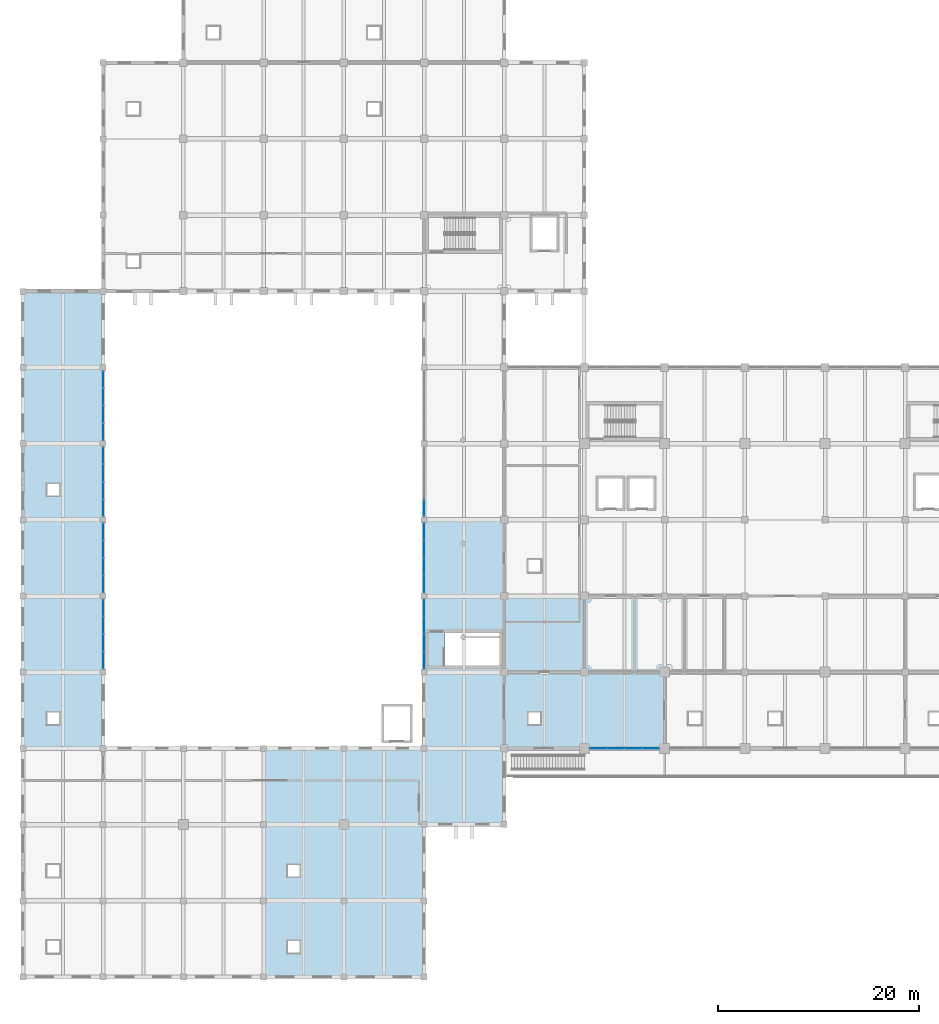
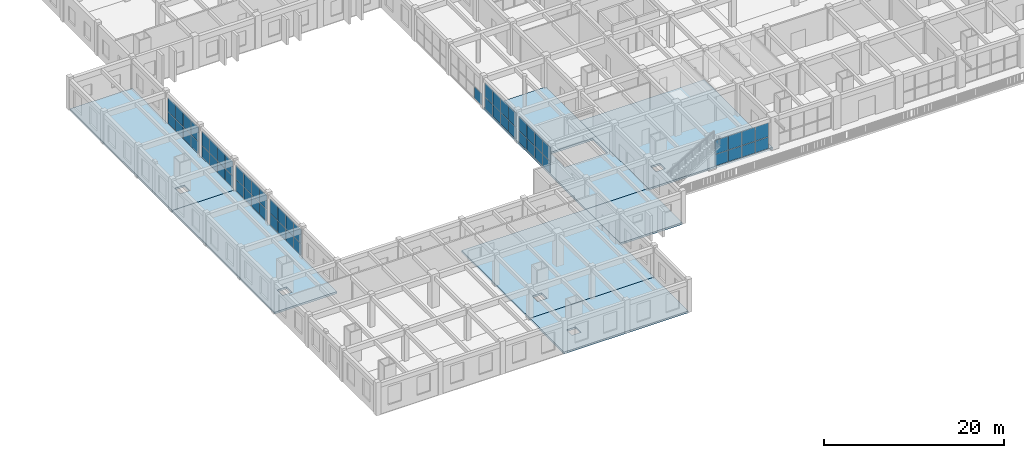
# One storey, part 42 of 79: 57 plates, 7 slabs, 8 elements without a shape of their own.
"""IFC4 building model written with IfcOpenShell, lengths in metres."""

from ifc_helpers import new_model, si_unit, direction, frame, origin, origin_2d, place, context, subcontext, project, spatial, polyline, rectangle, outline, extrude, material, layer, layer_set, type_object, element, aggregate, save


model = new_model("IFC4")

# Units and contexts
model_context = context("Model", 3, precision=1e-05, world=origin(), true_north=direction((0.0, 1.0)))
body_context = subcontext(model_context, "Body", "Model", "MODEL_VIEW")
ifc_project = project(units=[si_unit("LENGTHUNIT", "METRE"), si_unit("AREAUNIT", "SQUARE_METRE"), si_unit("VOLUMEUNIT", "CUBIC_METRE"), si_unit("PLANEANGLEUNIT", "RADIAN"), si_unit("MASSUNIT", "GRAM", prefix="KILO")], contexts=[model_context])

# Site, building, storey
site_placement = place(None, origin())
site = spatial("IfcSite", under=ifc_project, at=site_placement, CompositionType="ELEMENT")
building_placement = place(site_placement, origin())
building = spatial("IfcBuilding", under=site, at=building_placement, Name="Zantavel Square City Hall", CompositionType="ELEMENT")
storey_placement = place(building_placement, frame((0.0, 0.0, 10.199951171875)))
storey = spatial("IfcBuildingStorey", under=building, at=storey_placement, Name="L03", CompositionType="ELEMENT", Elevation=10.199951171875)

# Slabs
ifc_material_1 = material(Name="Concrete C35/45", Category="concrete")
ifc_layer_1 = layer(ifc_material_1, 0.260009765625, Name="Concrete C35/45")
ifc_layer_set_1 = layer_set([ifc_layer_1], Name="Concrete C35/45")
slab_type = type_object("IfcSlabType", Name="Council & Executive Slab 260mm C35/45", PredefinedType="FLOOR", material=ifc_layer_set_1)
slab_1_placement = place(storey_placement, frame((0.0, 0.0, -0.260009765625)))
element("IfcSlab", 1, at=slab_1_placement, inside=storey, type_object=slab_type, Name="L03 Floor Slab SLB-L03-V1-01", PredefinedType="FLOOR", context=body_context, shape_type="SweptSolid", body=[
    extrude(outline(polyline([(56.0, 45.60009765625), (72.0, 45.60009765625), (72.0, 30.39990234375), (56.0, 30.39990234375), (56.0, 45.60009765625)]), holes=[polyline([(59.60009765625, 34.0), (58.39990234375, 34.0), (58.39990234375, 32.800048828125), (59.60009765625, 32.800048828125), (59.60009765625, 34.0)])]), origin(), (0.0, 0.0, 1.0), 0.260009765625),
])
slab_2_placement = place(storey_placement, frame((0.0, 0.0, -0.260009765625)))
element("IfcSlab", 2, at=slab_2_placement, inside=storey, type_object=slab_type, Name="L03 Floor Slab SLB-L03-V3S-02", PredefinedType="FLOOR", context=body_context, shape_type="SweptSolid", body=[
    extrude(outline(polyline([(48.0, 7.60009765625), (32.0, 7.60009765625), (32.0, 15.199951171875), (48.0, 15.199951171875), (48.0, 7.60009765625)]), holes=[polyline([(35.60009765625, 11.199951171875), (34.39990234375, 11.199951171875), (34.39990234375, 10.0), (35.60009765625, 10.0), (35.60009765625, 11.199951171875)])]), origin(), (0.0, 0.0, 1.0), 0.260009765625),
])
slab_3_placement = place(storey_placement, frame((0.0, 0.0, -0.260009765625)))
element("IfcSlab", 3, at=slab_3_placement, inside=storey, type_object=slab_type, Name="L03 Floor Slab SLB-L03-V3S-04", PredefinedType="FLOOR", context=body_context, shape_type="SweptSolid", body=[
    extrude(outline(polyline([(48.0, 15.199951171875), (32.0, 15.199951171875), (32.0, 30.39990234375), (48.0, 30.39990234375), (48.0, 15.199951171875)]), holes=[polyline([(35.60009765625, 18.800048828125), (34.39990234375, 18.800048828125), (34.39990234375, 17.60009765625), (35.60009765625, 17.60009765625), (35.60009765625, 18.800048828125)])]), origin(), (0.0, 0.0, 1.0), 0.260009765625),
])
slab_4_placement = place(storey_placement, frame((0.0, 0.0, -0.260009765625)))
element("IfcSlab", 4, at=slab_4_placement, inside=storey, type_object=slab_type, Name="L03 Floor Slab SLB-L03-V3L-01", PredefinedType="FLOOR", context=body_context, shape_type="SweptSolid", body=[
    extrude(outline(polyline([(56.0, 22.800048828125), (48.0, 22.800048828125), (48.0, 30.39990234375), (56.0, 30.39990234375), (56.0, 22.800048828125)])), origin(), (0.0, 0.0, 1.0), 0.260009765625),
])
slab_5_placement = place(storey_placement, frame((0.0, 0.0, -0.260009765625)))
element("IfcSlab", 5, at=slab_5_placement, inside=storey, type_object=slab_type, Name="L03 Floor Slab SLB-L03-V3E-01", PredefinedType="FLOOR", context=body_context, shape_type="SweptSolid", body=[
    extrude(outline(polyline([(48.0, 30.39990234375), (48.0, 53.199951171875), (56.0, 53.199951171875), (56.0, 45.60009765625), (56.0, 30.39990234375), (48.0, 30.39990234375)]), holes=[polyline([(55.530029296875, 41.919921875), (50.050048828125, 41.919921875), (50.050048828125, 38.64990234375), (55.530029296875, 38.64990234375), (55.530029296875, 41.919921875)])]), origin(), (0.0, 0.0, 1.0), 0.260009765625),
])
slab_6_placement = place(storey_placement, frame((0.0, 0.0, -0.260009765625)))
element("IfcSlab", 6, at=slab_6_placement, inside=storey, type_object=slab_type, Name="L03 Floor Slab SLB-L03-V3W-01", PredefinedType="FLOOR", context=body_context, shape_type="SweptSolid", body=[
    extrude(outline(polyline([(16.0, 53.199951171875), (16.0, 30.39990234375), (8.0, 30.39990234375), (8.0, 53.199951171875), (16.0, 53.199951171875)]), holes=[polyline([(11.60009765625, 34.0), (10.39990234375, 34.0), (10.39990234375, 32.800048828125), (11.60009765625, 32.800048828125), (11.60009765625, 34.0)])]), origin(), (0.0, 0.0, 1.0), 0.260009765625),
])
slab_7_placement = place(storey_placement, frame((0.0, 0.0, -0.260009765625)))
element("IfcSlab", 7, at=slab_7_placement, inside=storey, type_object=slab_type, Name="L03 Floor Slab SLB-L03-V3W-02", PredefinedType="FLOOR", context=body_context, shape_type="SweptSolid", body=[
    extrude(outline(polyline([(16.0, 76.0), (16.0, 53.199951171875), (8.0, 53.199951171875), (8.0, 76.0), (16.0, 76.0)]), holes=[polyline([(11.60009765625, 56.800048828125), (10.39990234375, 56.800048828125), (10.39990234375, 55.60009765625), (11.60009765625, 55.60009765625), (11.60009765625, 56.800048828125)])]), origin(), (0.0, 0.0, 1.0), 0.260009765625),
])

# Curtain wall, plates
ifc_material_2 = material(Name="Anodised aluminium 6063-T6", Category="aluminium")
curtain_wall_type_1 = type_object("IfcCurtainWallType", Name="Curtain Wall TRV1 7000x3620", PredefinedType="USERDEFINED", material=ifc_material_2)
curtain_wall_1_placement = place(storey_placement, origin())
curtain_wall_1 = element("IfcCurtainWall", 8, at=curtain_wall_1_placement, inside=storey, type_object=curtain_wall_type_1, Name="L03 Glazed Curtain Wall CW-L03-098", ObjectType="GLAZED CURTAIN WALL", PredefinedType="USERDEFINED")
ifc_material_3 = material(Name="Tempered safety glass low-E double glazing", Category="glass")
ifc_layer_2 = layer(ifc_material_3, 0.028076171875, Name="Tempered safety glass low-E double glazing")
ifc_layer_set_2 = layer_set([ifc_layer_2], Name="Tempered safety glass low-E double glazing")
plate_type_1 = type_object("IfcPlateType", Name="Low-E Curtain Glazing Panel 1750x1810x28", PredefinedType="CURTAIN_PANEL", material=ifc_layer_set_2)
plate_1_placement = place(storey_placement, frame((70.610107421875, 30.39990234375, 0.06005859375), z_axis=(0.0, 0.0, 1.0), x_axis=(-1.0, 0.0, 0.0)))
plate_1 = element("IfcPlate", 9, at=plate_1_placement, type_object=plate_type_1, Name="CW-098 panel 1.1", PredefinedType="CURTAIN_PANEL", context=body_context, shape_type="SweptSolid", body=[
    extrude(rectangle(XDim=1.659912109375, YDim=0.028076171875, at=origin_2d()), origin(), (0.0, 0.0, 1.0), 1.5390625),
])
plate_2_placement = place(storey_placement, frame((70.610107421875, 30.39990234375, 1.6591796875), z_axis=(0.0, 0.0, 1.0), x_axis=(-1.0, 0.0, 0.0)))
plate_2 = element("IfcPlate", 10, at=plate_2_placement, type_object=plate_type_1, Name="CW-098 panel 1.2", PredefinedType="CURTAIN_PANEL", context=body_context, shape_type="SweptSolid", body=[
    extrude(rectangle(XDim=1.659912109375, YDim=0.028076171875, at=origin_2d()), origin(), (0.0, 0.0, 1.0), 1.90087890625),
])
plate_3_placement = place(storey_placement, frame((68.875, 30.39990234375, 0.06005859375), z_axis=(0.0, 0.0, 1.0), x_axis=(-1.0, 0.0, 0.0)))
plate_3 = element("IfcPlate", 11, at=plate_3_placement, type_object=plate_type_1, Name="CW-098 panel 2.1", PredefinedType="CURTAIN_PANEL", context=body_context, shape_type="SweptSolid", body=[
    extrude(rectangle(XDim=1.68994140625, YDim=0.028076171875, at=origin_2d()), origin(), (0.0, 0.0, 1.0), 1.5390625),
])
plate_4_placement = place(storey_placement, frame((68.875, 30.39990234375, 1.6591796875), z_axis=(0.0, 0.0, 1.0), x_axis=(-1.0, 0.0, 0.0)))
plate_4 = element("IfcPlate", 12, at=plate_4_placement, type_object=plate_type_1, Name="CW-098 panel 2.2", PredefinedType="CURTAIN_PANEL", context=body_context, shape_type="SweptSolid", body=[
    extrude(rectangle(XDim=1.68994140625, YDim=0.028076171875, at=origin_2d()), origin(), (0.0, 0.0, 1.0), 1.90087890625),
])
plate_5_placement = place(storey_placement, frame((67.125, 30.39990234375, 0.06005859375), z_axis=(0.0, 0.0, 1.0), x_axis=(-1.0, 0.0, 0.0)))
plate_5 = element("IfcPlate", 13, at=plate_5_placement, type_object=plate_type_1, Name="CW-098 panel 3.1", PredefinedType="CURTAIN_PANEL", context=body_context, shape_type="SweptSolid", body=[
    extrude(rectangle(XDim=1.68994140625, YDim=0.028076171875, at=origin_2d()), origin(), (0.0, 0.0, 1.0), 1.5390625),
])
plate_6_placement = place(storey_placement, frame((67.125, 30.39990234375, 1.6591796875), z_axis=(0.0, 0.0, 1.0), x_axis=(-1.0, 0.0, 0.0)))
plate_6 = element("IfcPlate", 14, at=plate_6_placement, type_object=plate_type_1, Name="CW-098 panel 3.2", PredefinedType="CURTAIN_PANEL", context=body_context, shape_type="SweptSolid", body=[
    extrude(rectangle(XDim=1.68994140625, YDim=0.028076171875, at=origin_2d()), origin(), (0.0, 0.0, 1.0), 1.90087890625),
])
plate_7_placement = place(storey_placement, frame((65.389892578125, 30.39990234375, 0.06005859375), z_axis=(0.0, 0.0, 1.0), x_axis=(-1.0, 0.0, 0.0)))
plate_7 = element("IfcPlate", 15, at=plate_7_placement, type_object=plate_type_1, Name="CW-098 panel 4.1", PredefinedType="CURTAIN_PANEL", context=body_context, shape_type="SweptSolid", body=[
    extrude(rectangle(XDim=1.659912109375, YDim=0.028076171875, at=origin_2d()), origin(), (0.0, 0.0, 1.0), 1.5390625),
])
plate_8_placement = place(storey_placement, frame((65.389892578125, 30.39990234375, 1.6591796875), z_axis=(0.0, 0.0, 1.0), x_axis=(-1.0, 0.0, 0.0)))
plate_8 = element("IfcPlate", 16, at=plate_8_placement, type_object=plate_type_1, Name="CW-098 panel 4.2", PredefinedType="CURTAIN_PANEL", context=body_context, shape_type="SweptSolid", body=[
    extrude(rectangle(XDim=1.659912109375, YDim=0.028076171875, at=origin_2d()), origin(), (0.0, 0.0, 1.0), 1.90087890625),
])
aggregate(curtain_wall_1, [plate_1, plate_2, plate_3, plate_4, plate_5, plate_6, plate_7, plate_8])

curtain_wall_type_2 = type_object("IfcCurtainWallType", Name="Curtain Wall CRT 7000x3670", PredefinedType="USERDEFINED", material=ifc_material_2)
curtain_wall_2_placement = place(storey_placement, origin())
curtain_wall_2 = element("IfcCurtainWall", 17, at=curtain_wall_2_placement, inside=storey, type_object=curtain_wall_type_2, Name="L03 Glazed Curtain Wall CW-L03-099", ObjectType="GLAZED CURTAIN WALL", PredefinedType="USERDEFINED")
ifc_layer_3 = layer(ifc_material_3, 0.028076171875, Name="Tempered safety glass low-E double glazing")
ifc_layer_set_3 = layer_set([ifc_layer_3], Name="Tempered safety glass low-E double glazing")
plate_type_2 = type_object("IfcPlateType", Name="Low-E Curtain Glazing Panel 1750x1835x28", PredefinedType="CURTAIN_PANEL", material=ifc_layer_set_3)
plate_9_placement = place(storey_placement, frame((16.0, 52.010009765625, 0.06005859375), z_axis=(0.0, 0.0, 1.0), x_axis=(0.0, -1.0, 0.0)))
plate_9 = element("IfcPlate", 18, at=plate_9_placement, type_object=plate_type_2, Name="CW-099 panel 1.1", PredefinedType="CURTAIN_PANEL", context=body_context, shape_type="SweptSolid", body=[
    extrude(rectangle(XDim=1.659912109375, YDim=0.028076171875, at=origin_2d()), origin(), (0.0, 0.0, 1.0), 1.56103515625),
])
plate_10_placement = place(storey_placement, frame((16.0, 52.010009765625, 1.68115234375), z_axis=(0.0, 0.0, 1.0), x_axis=(0.0, -1.0, 0.0)))
plate_10 = element("IfcPlate", 19, at=plate_10_placement, type_object=plate_type_2, Name="CW-099 panel 1.2", PredefinedType="CURTAIN_PANEL", context=body_context, shape_type="SweptSolid", body=[
    extrude(rectangle(XDim=1.659912109375, YDim=0.028076171875, at=origin_2d()), origin(), (0.0, 0.0, 1.0), 1.928955078125),
])
plate_11_placement = place(storey_placement, frame((16.0, 50.27490234375, 0.06005859375), z_axis=(0.0, 0.0, 1.0), x_axis=(0.0, -1.0, 0.0)))
plate_11 = element("IfcPlate", 20, at=plate_11_placement, type_object=plate_type_2, Name="CW-099 panel 2.1", PredefinedType="CURTAIN_PANEL", context=body_context, shape_type="SweptSolid", body=[
    extrude(rectangle(XDim=1.68994140625, YDim=0.028076171875, at=origin_2d()), origin(), (0.0, 0.0, 1.0), 1.56103515625),
])
plate_12_placement = place(storey_placement, frame((16.0, 50.27490234375, 1.68115234375), z_axis=(0.0, 0.0, 1.0), x_axis=(0.0, -1.0, 0.0)))
plate_12 = element("IfcPlate", 21, at=plate_12_placement, type_object=plate_type_2, Name="CW-099 panel 2.2", PredefinedType="CURTAIN_PANEL", context=body_context, shape_type="SweptSolid", body=[
    extrude(rectangle(XDim=1.68994140625, YDim=0.028076171875, at=origin_2d()), origin(), (0.0, 0.0, 1.0), 1.928955078125),
])
plate_13_placement = place(storey_placement, frame((16.0, 48.52490234375, 0.06005859375), z_axis=(0.0, 0.0, 1.0), x_axis=(0.0, -1.0, 0.0)))
plate_13 = element("IfcPlate", 22, at=plate_13_placement, type_object=plate_type_2, Name="CW-099 panel 3.1", PredefinedType="CURTAIN_PANEL", context=body_context, shape_type="SweptSolid", body=[
    extrude(rectangle(XDim=1.68994140625, YDim=0.028076171875, at=origin_2d()), origin(), (0.0, 0.0, 1.0), 1.56103515625),
])
plate_14_placement = place(storey_placement, frame((16.0, 48.52490234375, 1.68115234375), z_axis=(0.0, 0.0, 1.0), x_axis=(0.0, -1.0, 0.0)))
plate_14 = element("IfcPlate", 23, at=plate_14_placement, type_object=plate_type_2, Name="CW-099 panel 3.2", PredefinedType="CURTAIN_PANEL", context=body_context, shape_type="SweptSolid", body=[
    extrude(rectangle(XDim=1.68994140625, YDim=0.028076171875, at=origin_2d()), origin(), (0.0, 0.0, 1.0), 1.928955078125),
])
plate_15_placement = place(storey_placement, frame((16.0, 46.7900390625, 0.06005859375), z_axis=(0.0, 0.0, 1.0), x_axis=(0.0, -1.0, 0.0)))
plate_15 = element("IfcPlate", 24, at=plate_15_placement, type_object=plate_type_2, Name="CW-099 panel 4.1", PredefinedType="CURTAIN_PANEL", context=body_context, shape_type="SweptSolid", body=[
    extrude(rectangle(XDim=1.659912109375, YDim=0.028076171875, at=origin_2d()), origin(), (0.0, 0.0, 1.0), 1.56103515625),
])
plate_16_placement = place(storey_placement, frame((16.0, 46.7900390625, 1.68115234375), z_axis=(0.0, 0.0, 1.0), x_axis=(0.0, -1.0, 0.0)))
plate_16 = element("IfcPlate", 25, at=plate_16_placement, type_object=plate_type_2, Name="CW-099 panel 4.2", PredefinedType="CURTAIN_PANEL", context=body_context, shape_type="SweptSolid", body=[
    extrude(rectangle(XDim=1.659912109375, YDim=0.028076171875, at=origin_2d()), origin(), (0.0, 0.0, 1.0), 1.928955078125),
])
aggregate(curtain_wall_2, [plate_9, plate_10, plate_11, plate_12, plate_13, plate_14, plate_15, plate_16])

curtain_wall_3_placement = place(storey_placement, origin())
curtain_wall_3 = element("IfcCurtainWall", 26, at=curtain_wall_3_placement, inside=storey, type_object=curtain_wall_type_2, Name="L03 Glazed Curtain Wall CW-L03-100", ObjectType="GLAZED CURTAIN WALL", PredefinedType="USERDEFINED")
plate_17_placement = place(storey_placement, frame((16.0, 44.409912109375, 0.06005859375), z_axis=(0.0, 0.0, 1.0), x_axis=(0.0, -1.0, 0.0)))
plate_17 = element("IfcPlate", 27, at=plate_17_placement, type_object=plate_type_2, Name="CW-100 panel 1.1", PredefinedType="CURTAIN_PANEL", context=body_context, shape_type="SweptSolid", body=[
    extrude(rectangle(XDim=1.659912109375, YDim=0.028076171875, at=origin_2d()), origin(), (0.0, 0.0, 1.0), 1.56103515625),
])
plate_18_placement = place(storey_placement, frame((16.0, 44.409912109375, 1.68115234375), z_axis=(0.0, 0.0, 1.0), x_axis=(0.0, -1.0, 0.0)))
plate_18 = element("IfcPlate", 28, at=plate_18_placement, type_object=plate_type_2, Name="CW-100 panel 1.2", PredefinedType="CURTAIN_PANEL", context=body_context, shape_type="SweptSolid", body=[
    extrude(rectangle(XDim=1.659912109375, YDim=0.028076171875, at=origin_2d()), origin(), (0.0, 0.0, 1.0), 1.928955078125),
])
plate_19_placement = place(storey_placement, frame((16.0, 42.675048828125, 0.06005859375), z_axis=(0.0, 0.0, 1.0), x_axis=(0.0, -1.0, 0.0)))
plate_19 = element("IfcPlate", 29, at=plate_19_placement, type_object=plate_type_2, Name="CW-100 panel 2.1", PredefinedType="CURTAIN_PANEL", context=body_context, shape_type="SweptSolid", body=[
    extrude(rectangle(XDim=1.68994140625, YDim=0.028076171875, at=origin_2d()), origin(), (0.0, 0.0, 1.0), 1.56103515625),
])
plate_20_placement = place(storey_placement, frame((16.0, 42.675048828125, 1.68115234375), z_axis=(0.0, 0.0, 1.0), x_axis=(0.0, -1.0, 0.0)))
plate_20 = element("IfcPlate", 30, at=plate_20_placement, type_object=plate_type_2, Name="CW-100 panel 2.2", PredefinedType="CURTAIN_PANEL", context=body_context, shape_type="SweptSolid", body=[
    extrude(rectangle(XDim=1.68994140625, YDim=0.028076171875, at=origin_2d()), origin(), (0.0, 0.0, 1.0), 1.928955078125),
])
plate_21_placement = place(storey_placement, frame((16.0, 40.925048828125, 0.06005859375), z_axis=(0.0, 0.0, 1.0), x_axis=(0.0, -1.0, 0.0)))
plate_21 = element("IfcPlate", 31, at=plate_21_placement, type_object=plate_type_2, Name="CW-100 panel 3.1", PredefinedType="CURTAIN_PANEL", context=body_context, shape_type="SweptSolid", body=[
    extrude(rectangle(XDim=1.68994140625, YDim=0.028076171875, at=origin_2d()), origin(), (0.0, 0.0, 1.0), 1.56103515625),
])
plate_22_placement = place(storey_placement, frame((16.0, 40.925048828125, 1.68115234375), z_axis=(0.0, 0.0, 1.0), x_axis=(0.0, -1.0, 0.0)))
plate_22 = element("IfcPlate", 32, at=plate_22_placement, type_object=plate_type_2, Name="CW-100 panel 3.2", PredefinedType="CURTAIN_PANEL", context=body_context, shape_type="SweptSolid", body=[
    extrude(rectangle(XDim=1.68994140625, YDim=0.028076171875, at=origin_2d()), origin(), (0.0, 0.0, 1.0), 1.928955078125),
])
plate_23_placement = place(storey_placement, frame((16.0, 39.18994140625, 0.06005859375), z_axis=(0.0, 0.0, 1.0), x_axis=(0.0, -1.0, 0.0)))
plate_23 = element("IfcPlate", 33, at=plate_23_placement, type_object=plate_type_2, Name="CW-100 panel 4.1", PredefinedType="CURTAIN_PANEL", context=body_context, shape_type="SweptSolid", body=[
    extrude(rectangle(XDim=1.659912109375, YDim=0.028076171875, at=origin_2d()), origin(), (0.0, 0.0, 1.0), 1.56103515625),
])
plate_24_placement = place(storey_placement, frame((16.0, 39.18994140625, 1.68115234375), z_axis=(0.0, 0.0, 1.0), x_axis=(0.0, -1.0, 0.0)))
plate_24 = element("IfcPlate", 34, at=plate_24_placement, type_object=plate_type_2, Name="CW-100 panel 4.2", PredefinedType="CURTAIN_PANEL", context=body_context, shape_type="SweptSolid", body=[
    extrude(rectangle(XDim=1.659912109375, YDim=0.028076171875, at=origin_2d()), origin(), (0.0, 0.0, 1.0), 1.928955078125),
])
aggregate(curtain_wall_3, [plate_17, plate_18, plate_19, plate_20, plate_21, plate_22, plate_23, plate_24])

curtain_wall_4_placement = place(storey_placement, origin())
curtain_wall_4 = element("IfcCurtainWall", 35, at=curtain_wall_4_placement, inside=storey, type_object=curtain_wall_type_2, Name="L03 Glazed Curtain Wall CW-L03-101", ObjectType="GLAZED CURTAIN WALL", PredefinedType="USERDEFINED")
plate_25_placement = place(storey_placement, frame((48.0, 39.18994140625, 0.06005859375), z_axis=(0.0, 0.0, 1.0), x_axis=(0.0, 1.0, 0.0)))
plate_25 = element("IfcPlate", 36, at=plate_25_placement, type_object=plate_type_2, Name="CW-101 panel 1.1", PredefinedType="CURTAIN_PANEL", context=body_context, shape_type="SweptSolid", body=[
    extrude(rectangle(XDim=1.659912109375, YDim=0.028076171875, at=origin_2d()), origin(), (0.0, 0.0, 1.0), 1.56103515625),
])
plate_26_placement = place(storey_placement, frame((48.0, 39.18994140625, 1.68115234375), z_axis=(0.0, 0.0, 1.0), x_axis=(0.0, 1.0, 0.0)))
plate_26 = element("IfcPlate", 37, at=plate_26_placement, type_object=plate_type_2, Name="CW-101 panel 1.2", PredefinedType="CURTAIN_PANEL", context=body_context, shape_type="SweptSolid", body=[
    extrude(rectangle(XDim=1.659912109375, YDim=0.028076171875, at=origin_2d()), origin(), (0.0, 0.0, 1.0), 1.928955078125),
])
plate_27_placement = place(storey_placement, frame((48.0, 40.925048828125, 0.06005859375), z_axis=(0.0, 0.0, 1.0), x_axis=(0.0, 1.0, 0.0)))
plate_27 = element("IfcPlate", 38, at=plate_27_placement, type_object=plate_type_2, Name="CW-101 panel 2.1", PredefinedType="CURTAIN_PANEL", context=body_context, shape_type="SweptSolid", body=[
    extrude(rectangle(XDim=1.68994140625, YDim=0.028076171875, at=origin_2d()), origin(), (0.0, 0.0, 1.0), 1.56103515625),
])
plate_28_placement = place(storey_placement, frame((48.0, 40.925048828125, 1.68115234375), z_axis=(0.0, 0.0, 1.0), x_axis=(0.0, 1.0, 0.0)))
plate_28 = element("IfcPlate", 39, at=plate_28_placement, type_object=plate_type_2, Name="CW-101 panel 2.2", PredefinedType="CURTAIN_PANEL", context=body_context, shape_type="SweptSolid", body=[
    extrude(rectangle(XDim=1.68994140625, YDim=0.028076171875, at=origin_2d()), origin(), (0.0, 0.0, 1.0), 1.928955078125),
])
plate_29_placement = place(storey_placement, frame((48.0, 42.675048828125, 0.06005859375), z_axis=(0.0, 0.0, 1.0), x_axis=(0.0, 1.0, 0.0)))
plate_29 = element("IfcPlate", 40, at=plate_29_placement, type_object=plate_type_2, Name="CW-101 panel 3.1", PredefinedType="CURTAIN_PANEL", context=body_context, shape_type="SweptSolid", body=[
    extrude(rectangle(XDim=1.68994140625, YDim=0.028076171875, at=origin_2d()), origin(), (0.0, 0.0, 1.0), 1.56103515625),
])
plate_30_placement = place(storey_placement, frame((48.0, 42.675048828125, 1.68115234375), z_axis=(0.0, 0.0, 1.0), x_axis=(0.0, 1.0, 0.0)))
plate_30 = element("IfcPlate", 41, at=plate_30_placement, type_object=plate_type_2, Name="CW-101 panel 3.2", PredefinedType="CURTAIN_PANEL", context=body_context, shape_type="SweptSolid", body=[
    extrude(rectangle(XDim=1.68994140625, YDim=0.028076171875, at=origin_2d()), origin(), (0.0, 0.0, 1.0), 1.928955078125),
])
plate_31_placement = place(storey_placement, frame((48.0, 44.409912109375, 0.06005859375), z_axis=(0.0, 0.0, 1.0), x_axis=(0.0, 1.0, 0.0)))
plate_31 = element("IfcPlate", 42, at=plate_31_placement, type_object=plate_type_2, Name="CW-101 panel 4.1", PredefinedType="CURTAIN_PANEL", context=body_context, shape_type="SweptSolid", body=[
    extrude(rectangle(XDim=1.659912109375, YDim=0.028076171875, at=origin_2d()), origin(), (0.0, 0.0, 1.0), 1.56103515625),
])
plate_32_placement = place(storey_placement, frame((48.0, 44.409912109375, 1.68115234375), z_axis=(0.0, 0.0, 1.0), x_axis=(0.0, 1.0, 0.0)))
plate_32 = element("IfcPlate", 43, at=plate_32_placement, type_object=plate_type_2, Name="CW-101 panel 4.2", PredefinedType="CURTAIN_PANEL", context=body_context, shape_type="SweptSolid", body=[
    extrude(rectangle(XDim=1.659912109375, YDim=0.028076171875, at=origin_2d()), origin(), (0.0, 0.0, 1.0), 1.928955078125),
])
aggregate(curtain_wall_4, [plate_25, plate_26, plate_27, plate_28, plate_29, plate_30, plate_31, plate_32])

curtain_wall_5_placement = place(storey_placement, origin())
curtain_wall_5 = element("IfcCurtainWall", 44, at=curtain_wall_5_placement, inside=storey, type_object=curtain_wall_type_2, Name="L03 Glazed Curtain Wall CW-L03-102", ObjectType="GLAZED CURTAIN WALL", PredefinedType="USERDEFINED")
plate_33_placement = place(storey_placement, frame((48.0, 46.7900390625, 0.06005859375), z_axis=(0.0, 0.0, 1.0), x_axis=(0.0, 1.0, 0.0)))
plate_33 = element("IfcPlate", 45, at=plate_33_placement, type_object=plate_type_2, Name="CW-102 panel 1.1", PredefinedType="CURTAIN_PANEL", context=body_context, shape_type="SweptSolid", body=[
    extrude(rectangle(XDim=1.659912109375, YDim=0.028076171875, at=origin_2d()), origin(), (0.0, 0.0, 1.0), 1.56103515625),
])
plate_34_placement = place(storey_placement, frame((48.0, 46.7900390625, 1.68115234375), z_axis=(0.0, 0.0, 1.0), x_axis=(0.0, 1.0, 0.0)))
plate_34 = element("IfcPlate", 46, at=plate_34_placement, type_object=plate_type_2, Name="CW-102 panel 1.2", PredefinedType="CURTAIN_PANEL", context=body_context, shape_type="SweptSolid", body=[
    extrude(rectangle(XDim=1.659912109375, YDim=0.028076171875, at=origin_2d()), origin(), (0.0, 0.0, 1.0), 1.928955078125),
])
plate_35_placement = place(storey_placement, frame((48.0, 48.52490234375, 0.06005859375), z_axis=(0.0, 0.0, 1.0), x_axis=(0.0, 1.0, 0.0)))
plate_35 = element("IfcPlate", 47, at=plate_35_placement, type_object=plate_type_2, Name="CW-102 panel 2.1", PredefinedType="CURTAIN_PANEL", context=body_context, shape_type="SweptSolid", body=[
    extrude(rectangle(XDim=1.68994140625, YDim=0.028076171875, at=origin_2d()), origin(), (0.0, 0.0, 1.0), 1.56103515625),
])
plate_36_placement = place(storey_placement, frame((48.0, 48.52490234375, 1.68115234375), z_axis=(0.0, 0.0, 1.0), x_axis=(0.0, 1.0, 0.0)))
plate_36 = element("IfcPlate", 48, at=plate_36_placement, type_object=plate_type_2, Name="CW-102 panel 2.2", PredefinedType="CURTAIN_PANEL", context=body_context, shape_type="SweptSolid", body=[
    extrude(rectangle(XDim=1.68994140625, YDim=0.028076171875, at=origin_2d()), origin(), (0.0, 0.0, 1.0), 1.928955078125),
])
plate_37_placement = place(storey_placement, frame((48.0, 50.27490234375, 0.06005859375), z_axis=(0.0, 0.0, 1.0), x_axis=(0.0, 1.0, 0.0)))
plate_37 = element("IfcPlate", 49, at=plate_37_placement, type_object=plate_type_2, Name="CW-102 panel 3.1", PredefinedType="CURTAIN_PANEL", context=body_context, shape_type="SweptSolid", body=[
    extrude(rectangle(XDim=1.68994140625, YDim=0.028076171875, at=origin_2d()), origin(), (0.0, 0.0, 1.0), 1.56103515625),
])
plate_38_placement = place(storey_placement, frame((48.0, 50.27490234375, 1.68115234375), z_axis=(0.0, 0.0, 1.0), x_axis=(0.0, 1.0, 0.0)))
plate_38 = element("IfcPlate", 50, at=plate_38_placement, type_object=plate_type_2, Name="CW-102 panel 3.2", PredefinedType="CURTAIN_PANEL", context=body_context, shape_type="SweptSolid", body=[
    extrude(rectangle(XDim=1.68994140625, YDim=0.028076171875, at=origin_2d()), origin(), (0.0, 0.0, 1.0), 1.928955078125),
])
plate_39_placement = place(storey_placement, frame((48.0, 52.010009765625, 0.06005859375), z_axis=(0.0, 0.0, 1.0), x_axis=(0.0, 1.0, 0.0)))
plate_39 = element("IfcPlate", 51, at=plate_39_placement, type_object=plate_type_2, Name="CW-102 panel 4.1", PredefinedType="CURTAIN_PANEL", context=body_context, shape_type="SweptSolid", body=[
    extrude(rectangle(XDim=1.659912109375, YDim=0.028076171875, at=origin_2d()), origin(), (0.0, 0.0, 1.0), 1.56103515625),
])
plate_40_placement = place(storey_placement, frame((48.0, 52.010009765625, 1.68115234375), z_axis=(0.0, 0.0, 1.0), x_axis=(0.0, 1.0, 0.0)))
plate_40 = element("IfcPlate", 52, at=plate_40_placement, type_object=plate_type_2, Name="CW-102 panel 4.2", PredefinedType="CURTAIN_PANEL", context=body_context, shape_type="SweptSolid", body=[
    extrude(rectangle(XDim=1.659912109375, YDim=0.028076171875, at=origin_2d()), origin(), (0.0, 0.0, 1.0), 1.928955078125),
])
aggregate(curtain_wall_5, [plate_33, plate_34, plate_35, plate_36, plate_37, plate_38, plate_39, plate_40])

# Curtain wall, plate
curtain_wall_6_placement = place(storey_placement, origin())
curtain_wall_6 = element("IfcCurtainWall", 53, at=curtain_wall_6_placement, inside=storey, type_object=curtain_wall_type_2, Name="L03 Glazed Curtain Wall CW-L03-103", ObjectType="GLAZED CURTAIN WALL", PredefinedType="USERDEFINED")
plate_41_placement = place(storey_placement, frame((48.0, 54.389892578125, 0.06005859375), z_axis=(0.0, 0.0, 1.0), x_axis=(0.0, 1.0, 0.0)))
plate_41 = element("IfcPlate", 54, at=plate_41_placement, type_object=plate_type_2, Name="CW-103 panel 1.1", PredefinedType="CURTAIN_PANEL", context=body_context, shape_type="SweptSolid", body=[
    extrude(rectangle(XDim=1.659912109375, YDim=0.028076171875, at=origin_2d()), origin(), (0.0, 0.0, 1.0), 1.56103515625),
])
aggregate(curtain_wall_6, [plate_41])

# Curtain wall, plates
curtain_wall_7_placement = place(storey_placement, origin())
curtain_wall_7 = element("IfcCurtainWall", 55, at=curtain_wall_7_placement, inside=storey, type_object=curtain_wall_type_2, Name="L03 Glazed Curtain Wall CW-L03-105", ObjectType="GLAZED CURTAIN WALL", PredefinedType="USERDEFINED")
plate_42_placement = place(storey_placement, frame((16.0, 67.2099609375, 0.06005859375), z_axis=(0.0, 0.0, 1.0), x_axis=(0.0, -1.0, 0.0)))
plate_42 = element("IfcPlate", 56, at=plate_42_placement, type_object=plate_type_2, Name="CW-105 panel 1.1", PredefinedType="CURTAIN_PANEL", context=body_context, shape_type="SweptSolid", body=[
    extrude(rectangle(XDim=1.659912109375, YDim=0.028076171875, at=origin_2d()), origin(), (0.0, 0.0, 1.0), 1.56103515625),
])
plate_43_placement = place(storey_placement, frame((16.0, 67.2099609375, 1.68115234375), z_axis=(0.0, 0.0, 1.0), x_axis=(0.0, -1.0, 0.0)))
plate_43 = element("IfcPlate", 57, at=plate_43_placement, type_object=plate_type_2, Name="CW-105 panel 1.2", PredefinedType="CURTAIN_PANEL", context=body_context, shape_type="SweptSolid", body=[
    extrude(rectangle(XDim=1.659912109375, YDim=0.028076171875, at=origin_2d()), origin(), (0.0, 0.0, 1.0), 1.928955078125),
])
plate_44_placement = place(storey_placement, frame((16.0, 65.47509765625, 0.06005859375), z_axis=(0.0, 0.0, 1.0), x_axis=(0.0, -1.0, 0.0)))
plate_44 = element("IfcPlate", 58, at=plate_44_placement, type_object=plate_type_2, Name="CW-105 panel 2.1", PredefinedType="CURTAIN_PANEL", context=body_context, shape_type="SweptSolid", body=[
    extrude(rectangle(XDim=1.68994140625, YDim=0.028076171875, at=origin_2d()), origin(), (0.0, 0.0, 1.0), 1.56103515625),
])
plate_45_placement = place(storey_placement, frame((16.0, 65.47509765625, 1.68115234375), z_axis=(0.0, 0.0, 1.0), x_axis=(0.0, -1.0, 0.0)))
plate_45 = element("IfcPlate", 59, at=plate_45_placement, type_object=plate_type_2, Name="CW-105 panel 2.2", PredefinedType="CURTAIN_PANEL", context=body_context, shape_type="SweptSolid", body=[
    extrude(rectangle(XDim=1.68994140625, YDim=0.028076171875, at=origin_2d()), origin(), (0.0, 0.0, 1.0), 1.928955078125),
])
plate_46_placement = place(storey_placement, frame((16.0, 63.72509765625, 0.06005859375), z_axis=(0.0, 0.0, 1.0), x_axis=(0.0, -1.0, 0.0)))
plate_46 = element("IfcPlate", 60, at=plate_46_placement, type_object=plate_type_2, Name="CW-105 panel 3.1", PredefinedType="CURTAIN_PANEL", context=body_context, shape_type="SweptSolid", body=[
    extrude(rectangle(XDim=1.68994140625, YDim=0.028076171875, at=origin_2d()), origin(), (0.0, 0.0, 1.0), 1.56103515625),
])
plate_47_placement = place(storey_placement, frame((16.0, 63.72509765625, 1.68115234375), z_axis=(0.0, 0.0, 1.0), x_axis=(0.0, -1.0, 0.0)))
plate_47 = element("IfcPlate", 61, at=plate_47_placement, type_object=plate_type_2, Name="CW-105 panel 3.2", PredefinedType="CURTAIN_PANEL", context=body_context, shape_type="SweptSolid", body=[
    extrude(rectangle(XDim=1.68994140625, YDim=0.028076171875, at=origin_2d()), origin(), (0.0, 0.0, 1.0), 1.928955078125),
])
plate_48_placement = place(storey_placement, frame((16.0, 61.989990234375, 0.06005859375), z_axis=(0.0, 0.0, 1.0), x_axis=(0.0, -1.0, 0.0)))
plate_48 = element("IfcPlate", 62, at=plate_48_placement, type_object=plate_type_2, Name="CW-105 panel 4.1", PredefinedType="CURTAIN_PANEL", context=body_context, shape_type="SweptSolid", body=[
    extrude(rectangle(XDim=1.659912109375, YDim=0.028076171875, at=origin_2d()), origin(), (0.0, 0.0, 1.0), 1.56103515625),
])
plate_49_placement = place(storey_placement, frame((16.0, 61.989990234375, 1.68115234375), z_axis=(0.0, 0.0, 1.0), x_axis=(0.0, -1.0, 0.0)))
plate_49 = element("IfcPlate", 63, at=plate_49_placement, type_object=plate_type_2, Name="CW-105 panel 4.2", PredefinedType="CURTAIN_PANEL", context=body_context, shape_type="SweptSolid", body=[
    extrude(rectangle(XDim=1.659912109375, YDim=0.028076171875, at=origin_2d()), origin(), (0.0, 0.0, 1.0), 1.928955078125),
])
aggregate(curtain_wall_7, [plate_42, plate_43, plate_44, plate_45, plate_46, plate_47, plate_48, plate_49])

curtain_wall_8_placement = place(storey_placement, origin())
curtain_wall_8 = element("IfcCurtainWall", 64, at=curtain_wall_8_placement, inside=storey, type_object=curtain_wall_type_2, Name="L03 Glazed Curtain Wall CW-L03-106", ObjectType="GLAZED CURTAIN WALL", PredefinedType="USERDEFINED")
plate_50_placement = place(storey_placement, frame((16.0, 59.610107421875, 0.06005859375), z_axis=(0.0, 0.0, 1.0), x_axis=(0.0, -1.0, 0.0)))
plate_50 = element("IfcPlate", 65, at=plate_50_placement, type_object=plate_type_2, Name="CW-106 panel 1.1", PredefinedType="CURTAIN_PANEL", context=body_context, shape_type="SweptSolid", body=[
    extrude(rectangle(XDim=1.659912109375, YDim=0.028076171875, at=origin_2d()), origin(), (0.0, 0.0, 1.0), 1.56103515625),
])
plate_51_placement = place(storey_placement, frame((16.0, 59.610107421875, 1.68115234375), z_axis=(0.0, 0.0, 1.0), x_axis=(0.0, -1.0, 0.0)))
plate_51 = element("IfcPlate", 66, at=plate_51_placement, type_object=plate_type_2, Name="CW-106 panel 1.2", PredefinedType="CURTAIN_PANEL", context=body_context, shape_type="SweptSolid", body=[
    extrude(rectangle(XDim=1.659912109375, YDim=0.028076171875, at=origin_2d()), origin(), (0.0, 0.0, 1.0), 1.928955078125),
])
plate_52_placement = place(storey_placement, frame((16.0, 57.875, 0.06005859375), z_axis=(0.0, 0.0, 1.0), x_axis=(0.0, -1.0, 0.0)))
plate_52 = element("IfcPlate", 67, at=plate_52_placement, type_object=plate_type_2, Name="CW-106 panel 2.1", PredefinedType="CURTAIN_PANEL", context=body_context, shape_type="SweptSolid", body=[
    extrude(rectangle(XDim=1.68994140625, YDim=0.028076171875, at=origin_2d()), origin(), (0.0, 0.0, 1.0), 1.56103515625),
])
plate_53_placement = place(storey_placement, frame((16.0, 57.875, 1.68115234375), z_axis=(0.0, 0.0, 1.0), x_axis=(0.0, -1.0, 0.0)))
plate_53 = element("IfcPlate", 68, at=plate_53_placement, type_object=plate_type_2, Name="CW-106 panel 2.2", PredefinedType="CURTAIN_PANEL", context=body_context, shape_type="SweptSolid", body=[
    extrude(rectangle(XDim=1.68994140625, YDim=0.028076171875, at=origin_2d()), origin(), (0.0, 0.0, 1.0), 1.928955078125),
])
plate_54_placement = place(storey_placement, frame((16.0, 56.125, 0.06005859375), z_axis=(0.0, 0.0, 1.0), x_axis=(0.0, -1.0, 0.0)))
plate_54 = element("IfcPlate", 69, at=plate_54_placement, type_object=plate_type_2, Name="CW-106 panel 3.1", PredefinedType="CURTAIN_PANEL", context=body_context, shape_type="SweptSolid", body=[
    extrude(rectangle(XDim=1.68994140625, YDim=0.028076171875, at=origin_2d()), origin(), (0.0, 0.0, 1.0), 1.56103515625),
])
plate_55_placement = place(storey_placement, frame((16.0, 56.125, 1.68115234375), z_axis=(0.0, 0.0, 1.0), x_axis=(0.0, -1.0, 0.0)))
plate_55 = element("IfcPlate", 70, at=plate_55_placement, type_object=plate_type_2, Name="CW-106 panel 3.2", PredefinedType="CURTAIN_PANEL", context=body_context, shape_type="SweptSolid", body=[
    extrude(rectangle(XDim=1.68994140625, YDim=0.028076171875, at=origin_2d()), origin(), (0.0, 0.0, 1.0), 1.928955078125),
])
plate_56_placement = place(storey_placement, frame((16.0, 54.389892578125, 0.06005859375), z_axis=(0.0, 0.0, 1.0), x_axis=(0.0, -1.0, 0.0)))
plate_56 = element("IfcPlate", 71, at=plate_56_placement, type_object=plate_type_2, Name="CW-106 panel 4.1", PredefinedType="CURTAIN_PANEL", context=body_context, shape_type="SweptSolid", body=[
    extrude(rectangle(XDim=1.659912109375, YDim=0.028076171875, at=origin_2d()), origin(), (0.0, 0.0, 1.0), 1.56103515625),
])
plate_57_placement = place(storey_placement, frame((16.0, 54.389892578125, 1.68115234375), z_axis=(0.0, 0.0, 1.0), x_axis=(0.0, -1.0, 0.0)))
plate_57 = element("IfcPlate", 72, at=plate_57_placement, type_object=plate_type_2, Name="CW-106 panel 4.2", PredefinedType="CURTAIN_PANEL", context=body_context, shape_type="SweptSolid", body=[
    extrude(rectangle(XDim=1.659912109375, YDim=0.028076171875, at=origin_2d()), origin(), (0.0, 0.0, 1.0), 1.928955078125),
])
aggregate(curtain_wall_8, [plate_50, plate_51, plate_52, plate_53, plate_54, plate_55, plate_56, plate_57])

save(model, "model.ifc")
